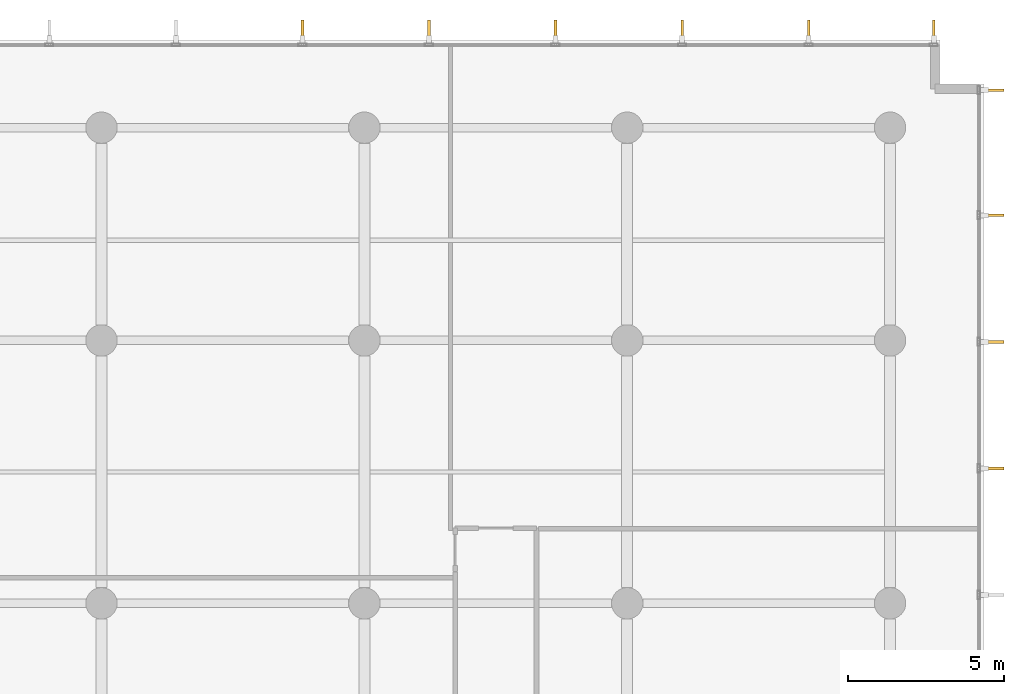
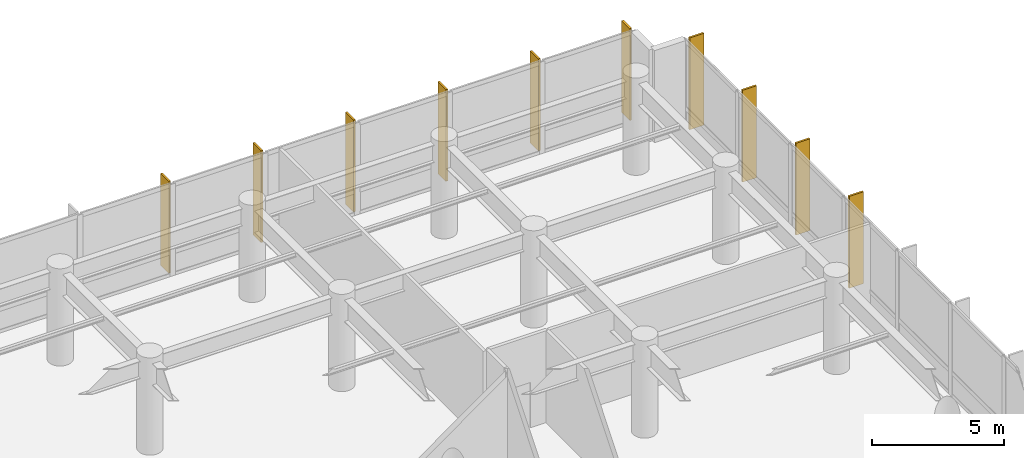
# One storey, part 26 of 26: 10 shading devices.
"""IFC4 building model written with IfcOpenShell, lengths in metres."""

from ifc_helpers import new_model, si_unit, direction, frame, origin, origin_2d, place, context, subcontext, project, spatial, rectangle, extrude, material, layer, layer_set, type_object, element, save


model = new_model("IFC4")

# Units and contexts
model_context = context("Model", 3, precision=1e-05, world=origin(), true_north=direction((0.0, 1.0)))
body_context = subcontext(model_context, "Body", "Model", "MODEL_VIEW")
ifc_project = project(units=[si_unit("LENGTHUNIT", "METRE"), si_unit("AREAUNIT", "SQUARE_METRE"), si_unit("VOLUMEUNIT", "CUBIC_METRE"), si_unit("PLANEANGLEUNIT", "RADIAN"), si_unit("MASSUNIT", "GRAM", prefix="KILO")], contexts=[model_context])

# Site, building, storey
site_placement = place(None, origin())
site = spatial("IfcSite", under=ifc_project, at=site_placement, CompositionType="ELEMENT")
building_placement = place(site_placement, origin())
building = spatial("IfcBuilding", under=site, at=building_placement, Name="Varnakote Quay Hospital", CompositionType="ELEMENT")
storey_placement = place(building_placement, frame((0.0, 0.0, 13.5)))
storey = spatial("IfcBuildingStorey", under=building, at=storey_placement, Name="L03", CompositionType="ELEMENT", Elevation=13.5)

# Shading devices
ifc_material = material(Name="Anodised aluminium 6063-T6 Bronze", Category="aluminium")
ifc_layer = layer(ifc_material, 0.0849609375)
ifc_layer_set = layer_set([ifc_layer], Name="Anodised aluminium 6063-T6 Bronze")
shading_device_type = type_object("IfcShadingDeviceType", Name="SHD-BRONZE-FIN-620", PredefinedType="USERDEFINED", material=ifc_layer_set)
for number, where, z_axis, x_axis, name in (
    (1, (87.330078125, 33.109130859375, 0.0), (0.0, 0.0, 1.0), (-1.0, 0.0, 0.0), "L03 Anodised Bronze Vertical Shading FIN"),
    (2, (87.330078125, 37.152587890625, 0.0), (0.0, 0.0, 1.0), (-1.0, 0.0, 0.0), "L03 Anodised Bronze Vertical Shading FIN"),
    (3, (87.330078125, 41.1962890625, 0.0), (0.0, 0.0, 1.0), (-1.0, 0.0, 0.0), "L03 Anodised Bronze Vertical Shading FIN"),
    (4, (87.330078125, 45.197509765625, 0.0), (0.0, 0.0, 1.0), (-1.0, 0.0, 0.0), "L03 Anodised Bronze Vertical Shading FIN"),
    (5, (85.3974609375, 47.1298828125, 0.0), (0.0, 0.0, 1.0), (0.0, -1.0, 0.0), "L03 Anodised Bronze Vertical Shading FIN"),
    (6, (81.396484375, 47.1298828125, 0.0), (0.0, 0.0, 1.0), (0.0, -1.0, 0.0), "L03 Anodised Bronze Vertical Shading FIN"),
    (7, (77.35302734375, 47.1298828125, 0.0), (0.0, 0.0, 1.0), (0.0, -1.0, 0.0), "L03 Anodised Bronze Vertical Shading FIN"),
    (8, (73.3095703125, 47.1298828125, 0.0), (0.0, 0.0, 1.0), (0.0, -1.0, 0.0), "L03 Anodised Bronze Vertical Shading FIN"),
    (9, (69.26611328125, 47.1298828125, 0.0), (0.0, 0.0, 1.0), (0.0, -1.0, 0.0), "L03 Anodised Bronze Vertical Shading FIN"),
    (10, (65.222412109375, 47.1298828125, 0.0), (0.0, 0.0, 1.0), (0.0, -1.0, 0.0), "L03 Anodised Bronze Vertical Shading FIN"),
):
    element("IfcShadingDevice", number, at=place(storey_placement, frame(where, z_axis=z_axis, x_axis=x_axis)), inside=storey, type_object=shading_device_type, Name=name, ObjectType="FIN", PredefinedType="USERDEFINED", context=body_context, shape_type="SweptSolid", body=[
        extrude(rectangle(XDim=0.6201171875, YDim=0.0849609375, at=origin_2d()), origin(), (0.0, 0.0, 1.0), 4.25),
    ])

save(model, "model.ifc")
